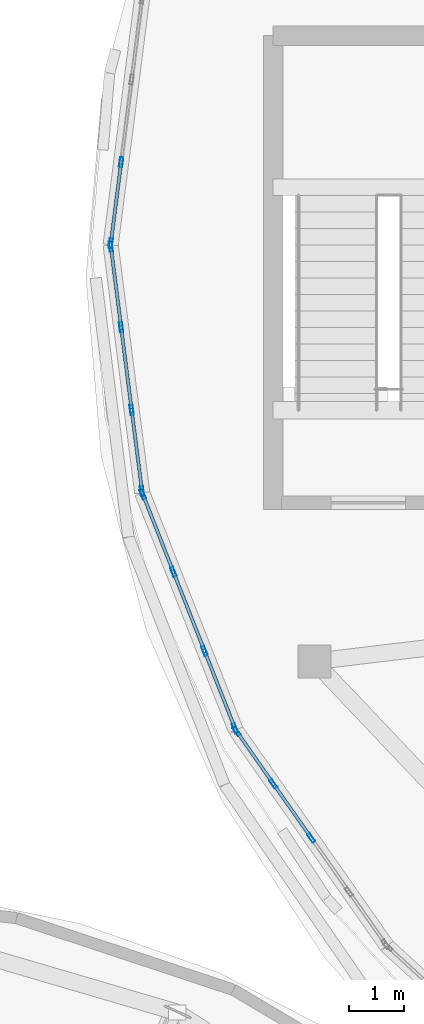
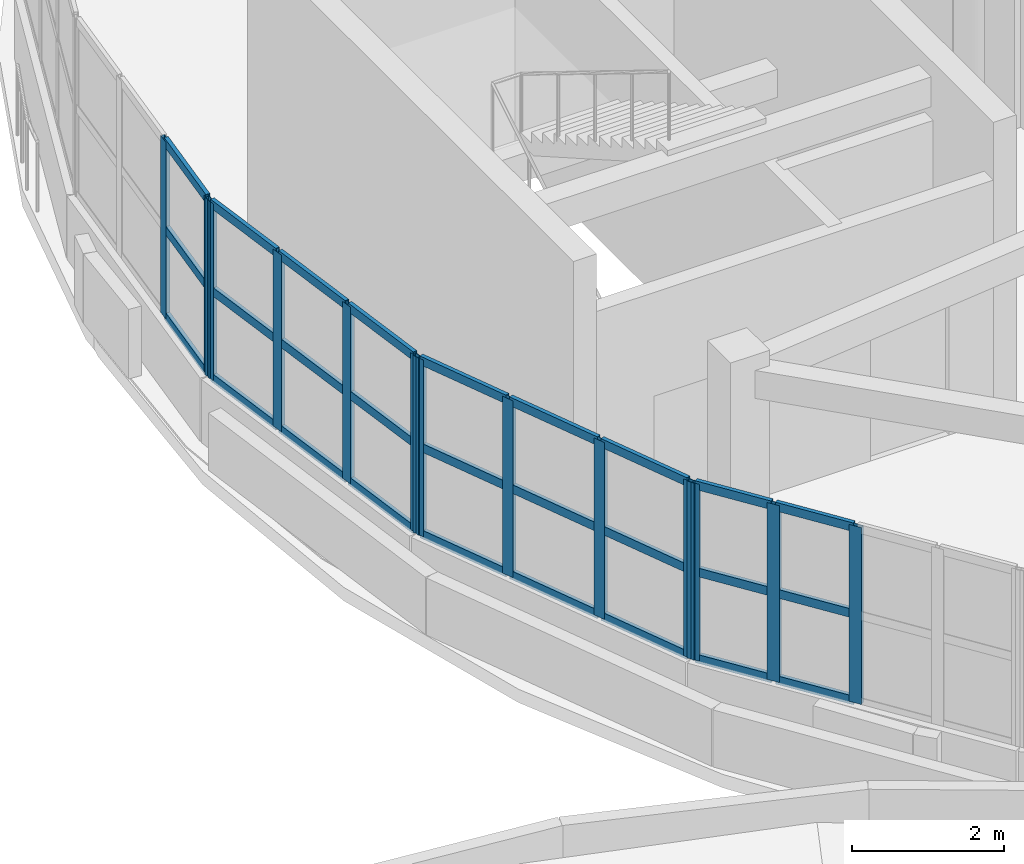
# One storey, part 17 of 69: 40 members, 4 elements without a shape of their own.
"""IFC4 building model written with IfcOpenShell, lengths in metres."""

from ifc_helpers import new_model, si_unit, direction, frame, origin, origin_2d, place, context, subcontext, project, spatial, hollow_rectangle, extrude, material, layer, layer_set, material_profile, profile_set, type_object, element, aggregate, save


model = new_model("IFC4")

# Units and contexts
model_context = context("Model", 3, precision=1e-05, world=origin(), true_north=direction((0.0, 1.0)))
body_context = subcontext(model_context, "Body", "Model", "MODEL_VIEW")
ifc_project = project(units=[si_unit("LENGTHUNIT", "METRE"), si_unit("AREAUNIT", "SQUARE_METRE"), si_unit("VOLUMEUNIT", "CUBIC_METRE"), si_unit("PLANEANGLEUNIT", "RADIAN"), si_unit("MASSUNIT", "GRAM", prefix="KILO")], contexts=[model_context])

# Site, building, storey
site_placement = place(None, origin())
site = spatial("IfcSite", under=ifc_project, at=site_placement, CompositionType="ELEMENT")
building_placement = place(site_placement, origin())
building = spatial("IfcBuilding", under=site, at=building_placement, Name="Pelvatis Terrace Science Centre", CompositionType="ELEMENT")
storey_placement = place(building_placement, frame((0.0, 0.0, 15.0)))
storey = spatial("IfcBuildingStorey", under=building, at=storey_placement, Name="L03", CompositionType="ELEMENT", Elevation=15.0)

# Curtain wall, members
ifc_material_1 = material(Name="Bronze-anodised aluminium and laminated glass", Category="aluminium")
ifc_layer = layer(ifc_material_1, 0.179931640625)
ifc_layer_set = layer_set([ifc_layer], Name="Bronze-anodised aluminium and laminated glass")
curtain_wall_type = type_object("IfcCurtainWallType", Name="CW-RIBBON-A", PredefinedType="NOTDEFINED", material=ifc_layer_set)
curtain_wall_1_placement = place(storey_placement, origin())
curtain_wall_1 = element("IfcCurtainWall", 1, at=curtain_wall_1_placement, inside=storey, type_object=curtain_wall_type, Name="Ribbon curtain wall CW-197 (L03)", PredefinedType="NOTDEFINED")
ifc_material_2 = material(Name="Bronze-anodised aluminium 6063-T6", Category="aluminium")
ifc_material_profile_1 = material_profile(ifc_material_2, hollow_rectangle(XDim=0.06005859375, YDim=0.179931640625, WallThickness=0.00390625, at=origin_2d()), Name="ALU-MUL 60x180")
ifc_profile_set_1 = profile_set([ifc_material_profile_1], Name="Bronze-anodised aluminium 6063-T6")
member_type_1 = type_object("IfcMemberType", Name="CWM-60x180", PredefinedType="MULLION", material=ifc_profile_set_1)
member_1_placement = place(storey_placement, frame((84.041259765625, 85.50048828125, 1.02001953125), z_axis=(0.0, 0.0, 1.0), x_axis=(0.991978378597, -0.126407659563, 0.0)))
member_1 = element("IfcMember", 2, at=member_1_placement, type_object=member_type_1, Name="CW-197 mullion 3", PredefinedType="MULLION", context=body_context, shape_type="SweptSolid", body=[
    extrude(hollow_rectangle(XDim=0.06005859375, YDim=0.179931640625, WallThickness=0.00390625, at=origin_2d()), origin(), (0.0, 0.0, 1.0), 2.85009765625),
])
member_2_placement = place(storey_placement, frame((83.853759765625, 84.02978515625, 1.02001953125), z_axis=(0.0, 0.0, 1.0), x_axis=(0.991978378597, -0.126407659563, 0.0)))
member_2 = element("IfcMember", 3, at=member_2_placement, type_object=member_type_1, Name="CW-197 mullion 4", PredefinedType="MULLION", context=body_context, shape_type="SweptSolid", body=[
    extrude(hollow_rectangle(XDim=0.06005859375, YDim=0.179931640625, WallThickness=0.00390625, at=origin_2d()), origin(), (0.0, 0.0, 1.0), 2.85009765625),
])

curtain_wall_2_placement = place(storey_placement, origin())
curtain_wall_2 = element("IfcCurtainWall", 4, at=curtain_wall_2_placement, inside=storey, type_object=curtain_wall_type, Name="Ribbon curtain wall CW-198 (L03)", PredefinedType="NOTDEFINED")
member_3_placement = place(storey_placement, frame((83.853759765625, 83.97021484375, 1.02001953125), z_axis=(0.0, 0.0, 1.0), x_axis=(0.991978378597, 0.126407659563, 0.0)))
member_3 = element("IfcMember", 5, at=member_3_placement, type_object=member_type_1, Name="CW-198 mullion 1", PredefinedType="MULLION", context=body_context, shape_type="SweptSolid", body=[
    extrude(hollow_rectangle(XDim=0.06005859375, YDim=0.179931640625, WallThickness=0.00390625, at=origin_2d()), origin(), (0.0, 0.0, 1.0), 2.85009765625),
])
member_4_placement = place(storey_placement, frame((84.041259765625, 82.49951171875, 1.02001953125), z_axis=(0.0, 0.0, 1.0), x_axis=(0.991978378597, 0.126407659563, 0.0)))
member_4 = element("IfcMember", 6, at=member_4_placement, type_object=member_type_1, Name="CW-198 mullion 2", PredefinedType="MULLION", context=body_context, shape_type="SweptSolid", body=[
    extrude(hollow_rectangle(XDim=0.06005859375, YDim=0.179931640625, WallThickness=0.00390625, at=origin_2d()), origin(), (0.0, 0.0, 1.0), 2.85009765625),
])
member_5_placement = place(storey_placement, frame((84.232421875, 80.9990234375, 1.02001953125), z_axis=(0.0, 0.0, 1.0), x_axis=(0.991978378597, 0.126407659563, 0.0)))
member_5 = element("IfcMember", 7, at=member_5_placement, type_object=member_type_1, Name="CW-198 mullion 3", PredefinedType="MULLION", context=body_context, shape_type="SweptSolid", body=[
    extrude(hollow_rectangle(XDim=0.06005859375, YDim=0.179931640625, WallThickness=0.00390625, at=origin_2d()), origin(), (0.0, 0.0, 1.0), 2.85009765625),
])
member_6_placement = place(storey_placement, frame((84.419921875, 79.528564453125, 1.02001953125), z_axis=(0.0, 0.0, 1.0), x_axis=(0.991978378597, 0.126407659563, 0.0)))
member_6 = element("IfcMember", 8, at=member_6_placement, type_object=member_type_1, Name="CW-198 mullion 4", PredefinedType="MULLION", context=body_context, shape_type="SweptSolid", body=[
    extrude(hollow_rectangle(XDim=0.06005859375, YDim=0.179931640625, WallThickness=0.00390625, at=origin_2d()), origin(), (0.0, 0.0, 1.0), 2.85009765625),
])

curtain_wall_3_placement = place(storey_placement, origin())
curtain_wall_3 = element("IfcCurtainWall", 9, at=curtain_wall_3_placement, inside=storey, type_object=curtain_wall_type, Name="Ribbon curtain wall CW-199 (L03)", PredefinedType="NOTDEFINED")
member_7_placement = place(storey_placement, frame((84.4345703125, 79.470703125, 1.02001953125), z_axis=(0.0, 0.0, 1.0), x_axis=(0.930401915157, 0.366540961248, 0.0)))
member_7 = element("IfcMember", 10, at=member_7_placement, type_object=member_type_1, Name="CW-199 mullion 1", PredefinedType="MULLION", context=body_context, shape_type="SweptSolid", body=[
    extrude(hollow_rectangle(XDim=0.06005859375, YDim=0.179931640625, WallThickness=0.00390625, at=origin_2d()), origin(), (0.0, 0.0, 1.0), 2.85009765625),
])
member_8_placement = place(storey_placement, frame((84.98876953125, 78.06396484375, 1.02001953125), z_axis=(0.0, 0.0, 1.0), x_axis=(0.930401915157, 0.366540961248, 0.0)))
member_8 = element("IfcMember", 11, at=member_8_placement, type_object=member_type_1, Name="CW-199 mullion 2", PredefinedType="MULLION", context=body_context, shape_type="SweptSolid", body=[
    extrude(hollow_rectangle(XDim=0.06005859375, YDim=0.179931640625, WallThickness=0.00390625, at=origin_2d()), origin(), (0.0, 0.0, 1.0), 2.85009765625),
])
member_9_placement = place(storey_placement, frame((85.55419921875, 76.629150390625, 1.02001953125), z_axis=(0.0, 0.0, 1.0), x_axis=(0.930401915157, 0.366540961248, 0.0)))
member_9 = element("IfcMember", 12, at=member_9_placement, type_object=member_type_1, Name="CW-199 mullion 3", PredefinedType="MULLION", context=body_context, shape_type="SweptSolid", body=[
    extrude(hollow_rectangle(XDim=0.06005859375, YDim=0.179931640625, WallThickness=0.00390625, at=origin_2d()), origin(), (0.0, 0.0, 1.0), 2.85009765625),
])
member_10_placement = place(storey_placement, frame((86.1083984375, 75.22216796875, 1.02001953125), z_axis=(0.0, 0.0, 1.0), x_axis=(0.930401915157, 0.366540961248, 0.0)))
member_10 = element("IfcMember", 13, at=member_10_placement, type_object=member_type_1, Name="CW-199 mullion 4", PredefinedType="MULLION", context=body_context, shape_type="SweptSolid", body=[
    extrude(hollow_rectangle(XDim=0.06005859375, YDim=0.179931640625, WallThickness=0.00390625, at=origin_2d()), origin(), (0.0, 0.0, 1.0), 2.85009765625),
])

curtain_wall_4_placement = place(storey_placement, origin())
curtain_wall_4 = element("IfcCurtainWall", 14, at=curtain_wall_4_placement, inside=storey, type_object=curtain_wall_type, Name="Ribbon curtain wall CW-200 (L03)", PredefinedType="NOTDEFINED")
member_11_placement = place(storey_placement, frame((86.13671875, 75.169677734375, 1.02001953125), z_axis=(0.0, 0.0, 1.0), x_axis=(0.81922799303, 0.573467955021, 0.0)))
member_11 = element("IfcMember", 15, at=member_11_placement, type_object=member_type_1, Name="CW-200 mullion 1", PredefinedType="MULLION", context=body_context, shape_type="SweptSolid", body=[
    extrude(hollow_rectangle(XDim=0.06005859375, YDim=0.179931640625, WallThickness=0.00390625, at=origin_2d()), origin(), (0.0, 0.0, 1.0), 2.85009765625),
])
member_12_placement = place(storey_placement, frame((86.805419921875, 74.21435546875, 1.02001953125), z_axis=(0.0, 0.0, 1.0), x_axis=(0.81922799303, 0.573467955021, 0.0)))
member_12 = element("IfcMember", 16, at=member_12_placement, type_object=member_type_1, Name="CW-200 mullion 2", PredefinedType="MULLION", context=body_context, shape_type="SweptSolid", body=[
    extrude(hollow_rectangle(XDim=0.06005859375, YDim=0.179931640625, WallThickness=0.00390625, at=origin_2d()), origin(), (0.0, 0.0, 1.0), 2.85009765625),
])
member_13_placement = place(storey_placement, frame((87.491455078125, 73.234375, 1.02001953125), z_axis=(0.0, 0.0, 1.0), x_axis=(0.81922799303, 0.573467955021, 0.0)))
member_13 = element("IfcMember", 17, at=member_13_placement, type_object=member_type_1, Name="CW-200 mullion 3", PredefinedType="MULLION", context=body_context, shape_type="SweptSolid", body=[
    extrude(hollow_rectangle(XDim=0.06005859375, YDim=0.179931640625, WallThickness=0.00390625, at=origin_2d()), origin(), (0.0, 0.0, 1.0), 2.85009765625),
])

# Member
ifc_material_3 = material(Name="Bronze-anodised aluminium 6063-T6", Category="aluminium")
ifc_material_profile_2 = material_profile(ifc_material_3, hollow_rectangle(XDim=0.06005859375, YDim=0.139892578125, WallThickness=0.00390625, at=origin_2d()), Name="ALU-TRN 60x140")
ifc_profile_set_2 = profile_set([ifc_material_profile_2], Name="Bronze-anodised aluminium 6063-T6")
member_type_2 = type_object("IfcMemberType", Name="CWT-60x140", PredefinedType="USERDEFINED", material=ifc_profile_set_2)
member_14_placement = place(storey_placement, frame((84.037353515625, 85.470703125, 1.050048828125), z_axis=(-0.126315693564, -0.991990093478, 0.0), x_axis=(0.991990093478, -0.126315693564, 0.0)))
member_14 = element("IfcMember", 18, at=member_14_placement, type_object=member_type_2, Name="CW-197 transom 3.1", ObjectType="TRANSOM", PredefinedType="USERDEFINED", context=body_context, shape_type="SweptSolid", body=[
    extrude(hollow_rectangle(XDim=0.06005859375, YDim=0.139892578125, WallThickness=0.00390625, at=origin_2d()), origin(), (0.0, 0.0, 1.0), 1.422607421875),
])

member_15_placement = place(storey_placement, frame((84.037353515625, 85.470703125, 2.445068359375), z_axis=(-0.126315693564, -0.991990093478, 0.0), x_axis=(0.991990093478, -0.126315693564, 0.0)))
member_15 = element("IfcMember", 19, at=member_15_placement, type_object=member_type_2, Name="CW-197 transom 3.2", ObjectType="TRANSOM", PredefinedType="USERDEFINED", context=body_context, shape_type="SweptSolid", body=[
    extrude(hollow_rectangle(XDim=0.06005859375, YDim=0.139892578125, WallThickness=0.00390625, at=origin_2d()), origin(), (0.0, 0.0, 1.0), 1.422607421875),
])

member_16_placement = place(storey_placement, frame((84.037353515625, 85.470703125, 3.840087890625), z_axis=(-0.126315693564, -0.991990093478, 0.0), x_axis=(0.991990093478, -0.126315693564, 0.0)))
member_16 = element("IfcMember", 20, at=member_16_placement, type_object=member_type_2, Name="CW-197 transom 3.3", ObjectType="TRANSOM", PredefinedType="USERDEFINED", context=body_context, shape_type="SweptSolid", body=[
    extrude(hollow_rectangle(XDim=0.06005859375, YDim=0.139892578125, WallThickness=0.00390625, at=origin_2d()), origin(), (0.0, 0.0, 1.0), 1.422607421875),
])

aggregate(curtain_wall_1, [member_1, member_2, member_14, member_15, member_16])

member_17_placement = place(storey_placement, frame((83.857666015625, 83.9404296875, 1.050048828125), z_axis=(0.126315693564, -0.991990093478, 0.0), x_axis=(0.991990093478, 0.126315693564, 0.0)))
member_17 = element("IfcMember", 21, at=member_17_placement, type_object=member_type_2, Name="CW-198 transom 1.1", ObjectType="TRANSOM", PredefinedType="USERDEFINED", context=body_context, shape_type="SweptSolid", body=[
    extrude(hollow_rectangle(XDim=0.06005859375, YDim=0.139892578125, WallThickness=0.00390625, at=origin_2d()), origin(), (0.0, 0.0, 1.0), 1.422607421875),
])

member_18_placement = place(storey_placement, frame((83.857666015625, 83.9404296875, 2.445068359375), z_axis=(0.126315693564, -0.991990093478, 0.0), x_axis=(0.991990093478, 0.126315693564, 0.0)))
member_18 = element("IfcMember", 22, at=member_18_placement, type_object=member_type_2, Name="CW-198 transom 1.2", ObjectType="TRANSOM", PredefinedType="USERDEFINED", context=body_context, shape_type="SweptSolid", body=[
    extrude(hollow_rectangle(XDim=0.06005859375, YDim=0.139892578125, WallThickness=0.00390625, at=origin_2d()), origin(), (0.0, 0.0, 1.0), 1.422607421875),
])

member_19_placement = place(storey_placement, frame((83.857666015625, 83.9404296875, 3.840087890625), z_axis=(0.126315693564, -0.991990093478, 0.0), x_axis=(0.991990093478, 0.126315693564, 0.0)))
member_19 = element("IfcMember", 23, at=member_19_placement, type_object=member_type_2, Name="CW-198 transom 1.3", ObjectType="TRANSOM", PredefinedType="USERDEFINED", context=body_context, shape_type="SweptSolid", body=[
    extrude(hollow_rectangle(XDim=0.06005859375, YDim=0.139892578125, WallThickness=0.00390625, at=origin_2d()), origin(), (0.0, 0.0, 1.0), 1.422607421875),
])

member_20_placement = place(storey_placement, frame((84.044921875, 82.4697265625, 1.050048828125), z_axis=(0.126392609759, -0.991980296275, 0.0), x_axis=(0.991980296275, 0.126392609759, 0.0)))
member_20 = element("IfcMember", 24, at=member_20_placement, type_object=member_type_2, Name="CW-198 transom 2.1", ObjectType="TRANSOM", PredefinedType="USERDEFINED", context=body_context, shape_type="SweptSolid", body=[
    extrude(hollow_rectangle(XDim=0.06005859375, YDim=0.139892578125, WallThickness=0.00390625, at=origin_2d()), origin(), (0.0, 0.0, 1.0), 1.45263671875),
])

member_21_placement = place(storey_placement, frame((84.044921875, 82.4697265625, 2.445068359375), z_axis=(0.126392609759, -0.991980296275, 0.0), x_axis=(0.991980296275, 0.126392609759, 0.0)))
member_21 = element("IfcMember", 25, at=member_21_placement, type_object=member_type_2, Name="CW-198 transom 2.2", ObjectType="TRANSOM", PredefinedType="USERDEFINED", context=body_context, shape_type="SweptSolid", body=[
    extrude(hollow_rectangle(XDim=0.06005859375, YDim=0.139892578125, WallThickness=0.00390625, at=origin_2d()), origin(), (0.0, 0.0, 1.0), 1.45263671875),
])

member_22_placement = place(storey_placement, frame((84.044921875, 82.4697265625, 3.840087890625), z_axis=(0.126392609759, -0.991980296275, 0.0), x_axis=(0.991980296275, 0.126392609759, 0.0)))
member_22 = element("IfcMember", 26, at=member_22_placement, type_object=member_type_2, Name="CW-198 transom 2.3", ObjectType="TRANSOM", PredefinedType="USERDEFINED", context=body_context, shape_type="SweptSolid", body=[
    extrude(hollow_rectangle(XDim=0.06005859375, YDim=0.139892578125, WallThickness=0.00390625, at=origin_2d()), origin(), (0.0, 0.0, 1.0), 1.45263671875),
])

member_23_placement = place(storey_placement, frame((84.236083984375, 80.969482421875, 1.050048828125), z_axis=(0.126463044856, -0.991971319286, 0.0), x_axis=(0.991971319286, 0.126463044856, 0.0)))
member_23 = element("IfcMember", 27, at=member_23_placement, type_object=member_type_2, Name="CW-198 transom 3.1", ObjectType="TRANSOM", PredefinedType="USERDEFINED", context=body_context, shape_type="SweptSolid", body=[
    extrude(hollow_rectangle(XDim=0.06005859375, YDim=0.139892578125, WallThickness=0.00390625, at=origin_2d()), origin(), (0.0, 0.0, 1.0), 1.4228515625),
])

member_24_placement = place(storey_placement, frame((84.236083984375, 80.969482421875, 2.445068359375), z_axis=(0.126463044856, -0.991971319286, 0.0), x_axis=(0.991971319286, 0.126463044856, 0.0)))
member_24 = element("IfcMember", 28, at=member_24_placement, type_object=member_type_2, Name="CW-198 transom 3.2", ObjectType="TRANSOM", PredefinedType="USERDEFINED", context=body_context, shape_type="SweptSolid", body=[
    extrude(hollow_rectangle(XDim=0.06005859375, YDim=0.139892578125, WallThickness=0.00390625, at=origin_2d()), origin(), (0.0, 0.0, 1.0), 1.4228515625),
])

member_25_placement = place(storey_placement, frame((84.236083984375, 80.969482421875, 3.840087890625), z_axis=(0.126463044856, -0.991971319286, 0.0), x_axis=(0.991971319286, 0.126463044856, 0.0)))
member_25 = element("IfcMember", 29, at=member_25_placement, type_object=member_type_2, Name="CW-198 transom 3.3", ObjectType="TRANSOM", PredefinedType="USERDEFINED", context=body_context, shape_type="SweptSolid", body=[
    extrude(hollow_rectangle(XDim=0.06005859375, YDim=0.139892578125, WallThickness=0.00390625, at=origin_2d()), origin(), (0.0, 0.0, 1.0), 1.4228515625),
])

aggregate(curtain_wall_2, [member_3, member_4, member_5, member_6, member_17, member_18, member_19, member_20, member_21, member_22, member_23, member_24, member_25])

member_26_placement = place(storey_placement, frame((84.445556640625, 79.44287109375, 1.050048828125), z_axis=(0.366515697741, -0.930411867567, 0.0), x_axis=(0.930411867567, 0.366515697741, 0.0)))
member_26 = element("IfcMember", 30, at=member_26_placement, type_object=member_type_2, Name="CW-199 transom 1.1", ObjectType="TRANSOM", PredefinedType="USERDEFINED", context=body_context, shape_type="SweptSolid", body=[
    extrude(hollow_rectangle(XDim=0.06005859375, YDim=0.139892578125, WallThickness=0.00390625, at=origin_2d()), origin(), (0.0, 0.0, 1.0), 1.4521484375),
])

member_27_placement = place(storey_placement, frame((84.445556640625, 79.44287109375, 2.445068359375), z_axis=(0.366515697741, -0.930411867567, 0.0), x_axis=(0.930411867567, 0.366515697741, 0.0)))
member_27 = element("IfcMember", 31, at=member_27_placement, type_object=member_type_2, Name="CW-199 transom 1.2", ObjectType="TRANSOM", PredefinedType="USERDEFINED", context=body_context, shape_type="SweptSolid", body=[
    extrude(hollow_rectangle(XDim=0.06005859375, YDim=0.139892578125, WallThickness=0.00390625, at=origin_2d()), origin(), (0.0, 0.0, 1.0), 1.4521484375),
])

member_28_placement = place(storey_placement, frame((84.445556640625, 79.44287109375, 3.840087890625), z_axis=(0.366515697741, -0.930411867567, 0.0), x_axis=(0.930411867567, 0.366515697741, 0.0)))
member_28 = element("IfcMember", 32, at=member_28_placement, type_object=member_type_2, Name="CW-199 transom 1.3", ObjectType="TRANSOM", PredefinedType="USERDEFINED", context=body_context, shape_type="SweptSolid", body=[
    extrude(hollow_rectangle(XDim=0.06005859375, YDim=0.139892578125, WallThickness=0.00390625, at=origin_2d()), origin(), (0.0, 0.0, 1.0), 1.4521484375),
])

member_29_placement = place(storey_placement, frame((84.999755859375, 78.035888671875, 1.050048828125), z_axis=(0.366671428132, -0.93035050588, 0.0), x_axis=(0.93035050588, 0.366671428132, 0.0)))
member_29 = element("IfcMember", 33, at=member_29_placement, type_object=member_type_2, Name="CW-199 transom 2.1", ObjectType="TRANSOM", PredefinedType="USERDEFINED", context=body_context, shape_type="SweptSolid", body=[
    extrude(hollow_rectangle(XDim=0.06005859375, YDim=0.139892578125, WallThickness=0.00390625, at=origin_2d()), origin(), (0.0, 0.0, 1.0), 1.482177734375),
])

member_30_placement = place(storey_placement, frame((84.999755859375, 78.035888671875, 2.445068359375), z_axis=(0.366671428132, -0.93035050588, 0.0), x_axis=(0.93035050588, 0.366671428132, 0.0)))
member_30 = element("IfcMember", 34, at=member_30_placement, type_object=member_type_2, Name="CW-199 transom 2.2", ObjectType="TRANSOM", PredefinedType="USERDEFINED", context=body_context, shape_type="SweptSolid", body=[
    extrude(hollow_rectangle(XDim=0.06005859375, YDim=0.139892578125, WallThickness=0.00390625, at=origin_2d()), origin(), (0.0, 0.0, 1.0), 1.482177734375),
])

member_31_placement = place(storey_placement, frame((84.999755859375, 78.035888671875, 3.840087890625), z_axis=(0.366671428132, -0.93035050588, 0.0), x_axis=(0.93035050588, 0.366671428132, 0.0)))
member_31 = element("IfcMember", 35, at=member_31_placement, type_object=member_type_2, Name="CW-199 transom 2.3", ObjectType="TRANSOM", PredefinedType="USERDEFINED", context=body_context, shape_type="SweptSolid", body=[
    extrude(hollow_rectangle(XDim=0.06005859375, YDim=0.139892578125, WallThickness=0.00390625, at=origin_2d()), origin(), (0.0, 0.0, 1.0), 1.482177734375),
])

member_32_placement = place(storey_placement, frame((85.565185546875, 76.60107421875, 1.050048828125), z_axis=(0.366515697741, -0.930411867567, 0.0), x_axis=(0.930411867567, 0.366515697741, 0.0)))
member_32 = element("IfcMember", 36, at=member_32_placement, type_object=member_type_2, Name="CW-199 transom 3.1", ObjectType="TRANSOM", PredefinedType="USERDEFINED", context=body_context, shape_type="SweptSolid", body=[
    extrude(hollow_rectangle(XDim=0.06005859375, YDim=0.139892578125, WallThickness=0.00390625, at=origin_2d()), origin(), (0.0, 0.0, 1.0), 1.4521484375),
])

member_33_placement = place(storey_placement, frame((85.565185546875, 76.60107421875, 2.445068359375), z_axis=(0.366515697741, -0.930411867567, 0.0), x_axis=(0.930411867567, 0.366515697741, 0.0)))
member_33 = element("IfcMember", 37, at=member_33_placement, type_object=member_type_2, Name="CW-199 transom 3.2", ObjectType="TRANSOM", PredefinedType="USERDEFINED", context=body_context, shape_type="SweptSolid", body=[
    extrude(hollow_rectangle(XDim=0.06005859375, YDim=0.139892578125, WallThickness=0.00390625, at=origin_2d()), origin(), (0.0, 0.0, 1.0), 1.4521484375),
])

member_34_placement = place(storey_placement, frame((85.565185546875, 76.60107421875, 3.840087890625), z_axis=(0.366515697741, -0.930411867567, 0.0), x_axis=(0.930411867567, 0.366515697741, 0.0)))
member_34 = element("IfcMember", 38, at=member_34_placement, type_object=member_type_2, Name="CW-199 transom 3.3", ObjectType="TRANSOM", PredefinedType="USERDEFINED", context=body_context, shape_type="SweptSolid", body=[
    extrude(hollow_rectangle(XDim=0.06005859375, YDim=0.139892578125, WallThickness=0.00390625, at=origin_2d()), origin(), (0.0, 0.0, 1.0), 1.4521484375),
])

aggregate(curtain_wall_3, [member_7, member_8, member_9, member_10, member_26, member_27, member_28, member_29, member_30, member_31, member_32, member_33, member_34])

member_35_placement = place(storey_placement, frame((86.15380859375, 75.14501953125, 1.050048828125), z_axis=(0.573403092011, -0.819273393973, 0.0), x_axis=(0.819273393973, 0.573403092011, 0.0)))
member_35 = element("IfcMember", 39, at=member_35_placement, type_object=member_type_2, Name="CW-200 transom 1.1", ObjectType="TRANSOM", PredefinedType="USERDEFINED", context=body_context, shape_type="SweptSolid", body=[
    extrude(hollow_rectangle(XDim=0.06005859375, YDim=0.139892578125, WallThickness=0.00390625, at=origin_2d()), origin(), (0.0, 0.0, 1.0), 1.106201171875),
])

member_36_placement = place(storey_placement, frame((86.15380859375, 75.14501953125, 2.445068359375), z_axis=(0.573403092011, -0.819273393973, 0.0), x_axis=(0.819273393973, 0.573403092011, 0.0)))
member_36 = element("IfcMember", 40, at=member_36_placement, type_object=member_type_2, Name="CW-200 transom 1.2", ObjectType="TRANSOM", PredefinedType="USERDEFINED", context=body_context, shape_type="SweptSolid", body=[
    extrude(hollow_rectangle(XDim=0.06005859375, YDim=0.139892578125, WallThickness=0.00390625, at=origin_2d()), origin(), (0.0, 0.0, 1.0), 1.106201171875),
])

member_37_placement = place(storey_placement, frame((86.15380859375, 75.14501953125, 3.840087890625), z_axis=(0.573403092011, -0.819273393973, 0.0), x_axis=(0.819273393973, 0.573403092011, 0.0)))
member_37 = element("IfcMember", 41, at=member_37_placement, type_object=member_type_2, Name="CW-200 transom 1.3", ObjectType="TRANSOM", PredefinedType="USERDEFINED", context=body_context, shape_type="SweptSolid", body=[
    extrude(hollow_rectangle(XDim=0.06005859375, YDim=0.139892578125, WallThickness=0.00390625, at=origin_2d()), origin(), (0.0, 0.0, 1.0), 1.106201171875),
])

member_38_placement = place(storey_placement, frame((86.822509765625, 74.189697265625, 1.050048828125), z_axis=(0.573447924478, -0.81924201425, 0.0), x_axis=(0.81924201425, 0.573447924478, 0.0)))
member_38 = element("IfcMember", 42, at=member_38_placement, type_object=member_type_2, Name="CW-200 transom 2.1", ObjectType="TRANSOM", PredefinedType="USERDEFINED", context=body_context, shape_type="SweptSolid", body=[
    extrude(hollow_rectangle(XDim=0.06005859375, YDim=0.139892578125, WallThickness=0.00390625, at=origin_2d()), origin(), (0.0, 0.0, 1.0), 1.13623046875),
])

member_39_placement = place(storey_placement, frame((86.822509765625, 74.189697265625, 2.445068359375), z_axis=(0.573447924478, -0.81924201425, 0.0), x_axis=(0.81924201425, 0.573447924478, 0.0)))
member_39 = element("IfcMember", 43, at=member_39_placement, type_object=member_type_2, Name="CW-200 transom 2.2", ObjectType="TRANSOM", PredefinedType="USERDEFINED", context=body_context, shape_type="SweptSolid", body=[
    extrude(hollow_rectangle(XDim=0.06005859375, YDim=0.139892578125, WallThickness=0.00390625, at=origin_2d()), origin(), (0.0, 0.0, 1.0), 1.13623046875),
])

member_40_placement = place(storey_placement, frame((86.822509765625, 74.189697265625, 3.840087890625), z_axis=(0.573447924478, -0.81924201425, 0.0), x_axis=(0.81924201425, 0.573447924478, 0.0)))
member_40 = element("IfcMember", 44, at=member_40_placement, type_object=member_type_2, Name="CW-200 transom 2.3", ObjectType="TRANSOM", PredefinedType="USERDEFINED", context=body_context, shape_type="SweptSolid", body=[
    extrude(hollow_rectangle(XDim=0.06005859375, YDim=0.139892578125, WallThickness=0.00390625, at=origin_2d()), origin(), (0.0, 0.0, 1.0), 1.13623046875),
])

aggregate(curtain_wall_4, [member_11, member_12, member_13, member_35, member_36, member_37, member_38, member_39, member_40])

save(model, "model.ifc")
